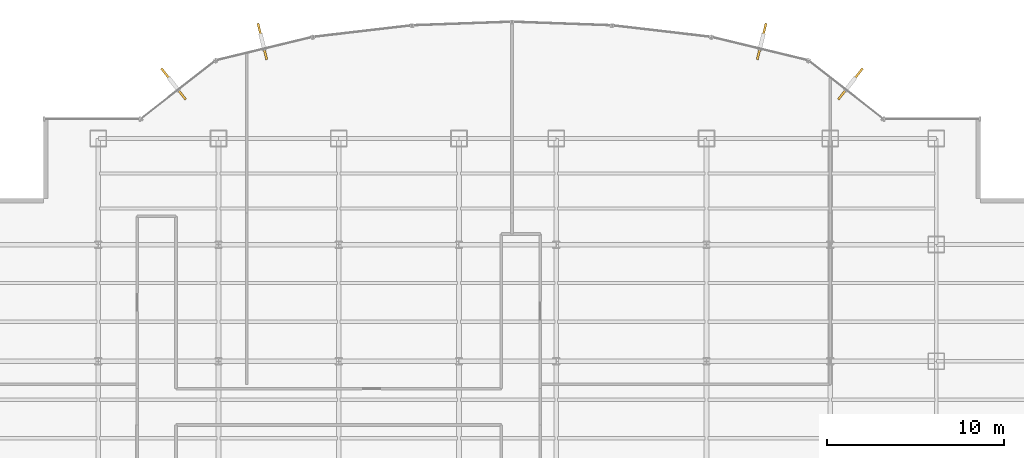
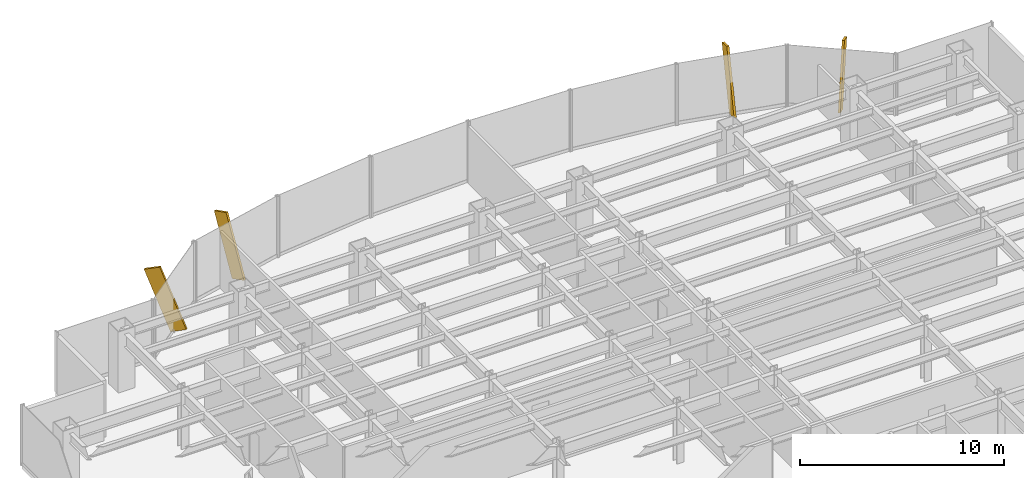
# One storey, part 21 of 22: 4 shading devices.
"""IFC4 building model written with IfcOpenShell, lengths in metres."""

from ifc_helpers import new_model, si_unit, derived_unit, direction, frame, origin, origin_2d, place, context, subcontext, project, spatial, rectangle, extrude, source, transform, mapped, material, type_object, element, save


model = new_model("IFC4")

# Units and contexts
model_context = context("Model", 3, precision=1e-05, world=origin(), true_north=direction((0.0, 1.0)))
body_context = subcontext(model_context, "Body", "Model", "MODEL_VIEW")
ifc_project = project(units=[si_unit("LENGTHUNIT", "METRE"), si_unit("AREAUNIT", "SQUARE_METRE"), si_unit("VOLUMEUNIT", "CUBIC_METRE"), si_unit("PLANEANGLEUNIT", "RADIAN"), si_unit("MASSUNIT", "GRAM", prefix="KILO"), derived_unit("THERMALTRANSMITTANCEUNIT", [(si_unit("POWERUNIT", "WATT"), 1), (si_unit("LENGTHUNIT", "METRE"), -2), (si_unit("THERMODYNAMICTEMPERATUREUNIT", "KELVIN"), -1)])], contexts=[model_context])

# Site, building, storey
site_placement = place(None, origin())
site = spatial("IfcSite", under=ifc_project, at=site_placement, CompositionType="ELEMENT")
building_placement = place(site_placement, origin())
building = spatial("IfcBuilding", under=site, at=building_placement, Name="Skarnbrae Concourse Arena and Tower", CompositionType="ELEMENT")
storey_placement = place(building_placement, frame((0.0, 0.0, 61.699951171875)))
storey = spatial("IfcBuildingStorey", under=building, at=storey_placement, Name="L14", CompositionType="ELEMENT", Elevation=61.699951171875)

# Shading devices
ifc_material = material(Name="Bronze anodised aluminium 6063-T6", Category="aluminium")
shading_device_type = type_object("IfcShadingDeviceType", Name="SHD-BRONZE-FIN-900", PredefinedType="USERDEFINED", material=ifc_material)
shared_shape = source(origin(), body_context, "Body", "SweptSolid", [
    extrude(rectangle(XDim=0.1201171875, YDim=0.89990234375, at=origin_2d()), origin(), (0.0, 0.0, 1.0), 3.64990234375),
])
for number, where, z_axis, x_axis, name in (
    (1, (49.7109375, 42.93603515625, 0.13916015625), (0.236075101385, 0.301803893194, 0.9236790333), (0.787656027369, -0.616115234797, 0.0), "L14 Outward-leaning bronze shading fin 08"),
    (2, (44.968994140625, 45.26806640625, 0.11376953125), (0.081676962767, 0.337689462029, 0.937707150974), (0.971973311258, -0.235091221021, 0.0), "L14 Outward-leaning bronze shading fin 09"),
    (3, (17.031005859375, 45.26806640625, 0.11376953125), (-0.081676962767, 0.337689462029, 0.937707150974), (0.971973311258, 0.235091221021, 0.0), "L14 Outward-leaning bronze shading fin 14"),
    (4, (12.2890625, 42.93603515625, 0.13916015625), (-0.236075101385, 0.301803893194, 0.9236790333), (0.787656027369, 0.616115234797, 0.0), "L14 Outward-leaning bronze shading fin 15"),
):
    element("IfcShadingDevice", number, at=place(storey_placement, frame(where, z_axis=z_axis, x_axis=x_axis)), inside=storey, type_object=shading_device_type, Name=name, ObjectType="FIN", PredefinedType="USERDEFINED", context=body_context, shape_type="MappedRepresentation", body=[
        mapped(shared_shape, transform((0.0, 0.0, 0.0))),
    ])

save(model, "model.ifc")
